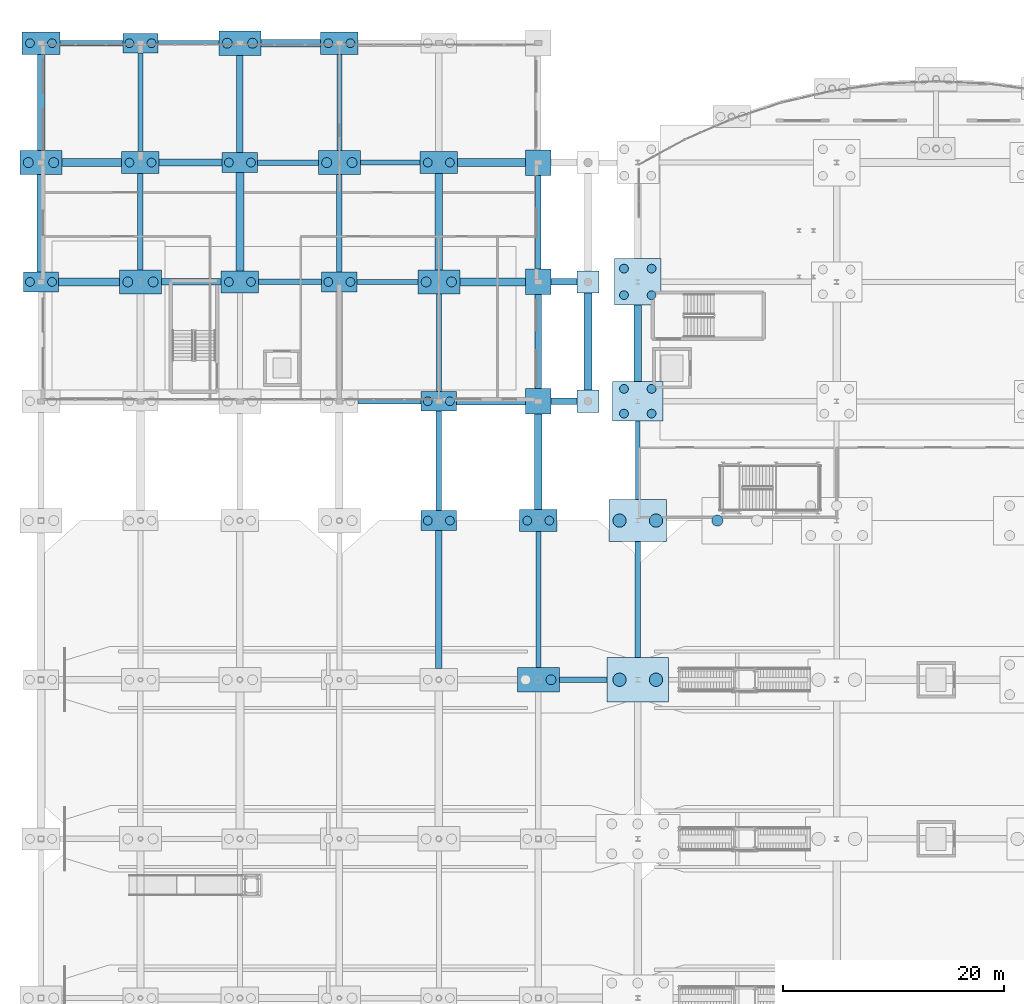
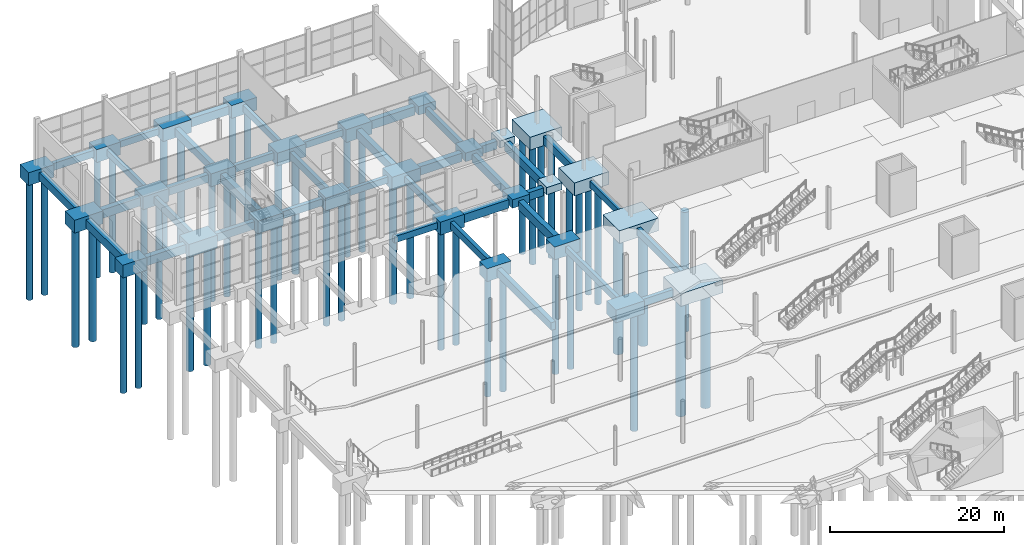
# One storey, part 4 of 115: 65 footings, 48 piles.
"""IFC4 building model written with IfcOpenShell, lengths in metres."""

from ifc_helpers import new_model, si_unit, direction, frame, origin, origin_2d, place, context, subcontext, project, spatial, rectangle, circle, extrude, material, material_profile, profile_set, type_object, element, save


model = new_model("IFC4")

# Units and contexts
model_context = context("Model", 3, precision=1e-05, world=origin(), true_north=direction((0.0, 1.0)))
body_context = subcontext(model_context, "Body", "Model", "MODEL_VIEW")
ifc_project = project(units=[si_unit("LENGTHUNIT", "METRE"), si_unit("AREAUNIT", "SQUARE_METRE"), si_unit("VOLUMEUNIT", "CUBIC_METRE"), si_unit("PLANEANGLEUNIT", "RADIAN"), si_unit("MASSUNIT", "GRAM", prefix="KILO")], contexts=[model_context])

# Site, building, storey
site_placement = place(None, origin())
site = spatial("IfcSite", under=ifc_project, at=site_placement, CompositionType="ELEMENT")
building_placement = place(site_placement, origin())
building = spatial("IfcBuilding", under=site, at=building_placement, Name="Tamarisk Ironworks Central Station", CompositionType="ELEMENT")
storey_placement = place(building_placement, origin())
storey = spatial("IfcBuildingStorey", under=building, at=storey_placement, Name="L00", CompositionType="ELEMENT", Elevation=0.0)

# Footings
ifc_material = material(Name="Concrete C40/50", Category="concrete")
footing_type_1 = type_object("IfcFootingType", Name="CAP-PC01", PredefinedType="PILE_CAP", material=ifc_material)
footing_1_placement = place(storey_placement, frame((54.0, 79.199951171875, -1.7998046875), z_axis=(0.0, 0.0, 1.0), x_axis=(1.0, 0.0, 0.0)))
element("IfcFooting", 1, at=footing_1_placement, inside=storey, type_object=footing_type_1, Name="Pile cap V2-07G", PredefinedType="PILE_CAP", context=body_context, shape_type="SweptSolid", body=[
    extrude(rectangle(XDim=5.199951171875, YDim=3.800048828125, at=origin_2d()), origin(), (0.0, 0.0, 1.0), 1.800048828125),
])
footing_type_2 = type_object("IfcFootingType", Name="CAP-PC02", PredefinedType="PILE_CAP", material=ifc_material)
footing_2_placement = place(storey_placement, frame((54.0, 90.0, -1.7998046875), z_axis=(0.0, 0.0, 1.0), x_axis=(1.0, 0.0, 0.0)))
element("IfcFooting", 2, at=footing_2_placement, inside=storey, type_object=footing_type_2, Name="Pile cap V2-07H", PredefinedType="PILE_CAP", context=body_context, shape_type="SweptSolid", body=[
    extrude(rectangle(XDim=4.60009765625, YDim=3.60009765625, at=origin_2d()), origin(), (0.0, 0.0, 1.0), 1.800048828125),
])
footing_type_3 = type_object("IfcFootingType", Name="CAP-PC03", PredefinedType="PILE_CAP", material=ifc_material)
footing_3_placement = place(storey_placement, frame((54.0, 100.800048828125, -1.7998046875), z_axis=(0.0, 0.0, 1.0), x_axis=(1.0, 0.0, 0.0)))
element("IfcFooting", 3, at=footing_3_placement, inside=storey, type_object=footing_type_3, Name="Pile cap V2-07J", PredefinedType="PILE_CAP", context=body_context, shape_type="SweptSolid", body=[
    extrude(rectangle(XDim=4.199951171875, YDim=4.199951171875, at=origin_2d()), origin(), (0.0, 0.0, 1.0), 1.800048828125),
])
footing_type_4 = type_object("IfcFootingType", Name="CAP-PC07", PredefinedType="PILE_CAP", material=ifc_material)
for number, where, z_axis, x_axis, name in (
    (4, (45.0, 64.800048828125, -1.7998046875), (0.0, 0.0, 1.0), (1.0, 0.0, 0.0), "Pile cap V1-06F"),
    (5, (0.0, 111.60009765625, -1.7998046875), (0.0, 0.0, 1.0), (1.0, 0.0, 0.0), "Pile cap V4-01L"),
    (6, (9.0, 100.800048828125, -1.7998046875), (0.0, 0.0, 1.0), (1.0, 0.0, 0.0), "Pile cap V4-02J"),
    (7, (18.0, 122.39990234375, -1.7998046875), (0.0, 0.0, 1.0), (1.0, 0.0, 0.0), "Pile cap V4-03N"),
    (8, (27.0, 111.60009765625, -1.7998046875), (0.0, 0.0, 1.0), (1.0, 0.0, 0.0), "Pile cap V4-04L"),
    (9, (36.0, 100.800048828125, -1.7998046875), (0.0, 0.0, 1.0), (1.0, 0.0, 0.0), "Pile cap V4-05J"),
):
    element("IfcFooting", number, at=place(storey_placement, frame(where, z_axis=z_axis, x_axis=x_axis)), inside=storey, type_object=footing_type_4, Name=name, PredefinedType="PILE_CAP", context=body_context, shape_type="SweptSolid", body=[
        extrude(rectangle(XDim=3.800048828125, YDim=2.199951171875, at=origin_2d()), origin(), (0.0, 0.0, 1.0), 1.800048828125),
    ])
footing_type_5 = type_object("IfcFootingType", Name="CAP-PC08", PredefinedType="PILE_CAP", material=ifc_material)
for number, where, z_axis, x_axis, name in (
    (10, (45.0, 79.199951171875, -1.7998046875), (0.0, 0.0, 1.0), (1.0, 0.0, 0.0), "Pile cap V1-06G"),
    (11, (0.0, 122.39990234375, -1.7998046875), (0.0, 0.0, 1.0), (1.0, 0.0, 0.0), "Pile cap V4-01N"),
    (12, (9.0, 111.60009765625, -1.7998046875), (0.0, 0.0, 1.0), (1.0, 0.0, 0.0), "Pile cap V4-02L"),
    (13, (18.0, 100.800048828125, -1.7998046875), (0.0, 0.0, 1.0), (1.0, 0.0, 0.0), "Pile cap V4-03J"),
    (14, (27.0, 122.39990234375, -1.7998046875), (0.0, 0.0, 1.0), (1.0, 0.0, 0.0), "Pile cap V4-04N"),
    (15, (36.0, 111.60009765625, -1.7998046875), (0.0, 0.0, 1.0), (1.0, 0.0, 0.0), "Pile cap V4-05L"),
):
    element("IfcFooting", number, at=place(storey_placement, frame(where, z_axis=z_axis, x_axis=x_axis)), inside=storey, type_object=footing_type_5, Name=name, PredefinedType="PILE_CAP", context=body_context, shape_type="SweptSolid", body=[
        extrude(rectangle(XDim=3.39990234375, YDim=2.0, at=origin_2d()), origin(), (0.0, 0.0, 1.0), 1.800048828125),
    ])
footing_type_6 = type_object("IfcFootingType", Name="CAP-PC09", PredefinedType="PILE_CAP", material=ifc_material)
for number, where, z_axis, x_axis, name in (
    (16, (36.0, 79.199951171875, -1.7998046875), (0.0, 0.0, 1.0), (1.0, 0.0, 0.0), "Pile cap V1-05G"),
    (17, (0.0, 100.800048828125, -1.7998046875), (0.0, 0.0, 1.0), (1.0, 0.0, 0.0), "Pile cap V4-01J"),
    (18, (9.0, 122.39990234375, -1.7998046875), (0.0, 0.0, 1.0), (1.0, 0.0, 0.0), "Pile cap V4-02N"),
    (19, (18.0, 111.60009765625, -1.7998046875), (0.0, 0.0, 1.0), (1.0, 0.0, 0.0), "Pile cap V4-03L"),
    (20, (27.0, 100.800048828125, -1.7998046875), (0.0, 0.0, 1.0), (1.0, 0.0, 0.0), "Pile cap V4-04J"),
    (21, (36.0, 90.0, -1.7998046875), (0.0, 0.0, 1.0), (1.0, 0.0, 0.0), "Pile cap V4-05H"),
):
    element("IfcFooting", number, at=place(storey_placement, frame(where, z_axis=z_axis, x_axis=x_axis)), inside=storey, type_object=footing_type_6, Name=name, PredefinedType="PILE_CAP", context=body_context, shape_type="SweptSolid", body=[
        extrude(rectangle(XDim=3.199951171875, YDim=1.800048828125, at=origin_2d()), origin(), (0.0, 0.0, 1.0), 1.800048828125),
    ])
footing_type_7 = type_object("IfcFootingType", Name="CAP-PC12", PredefinedType="PILE_CAP", material=ifc_material)
footing_4_placement = place(storey_placement, frame((54.0, 64.800048828125, -1.7998046875), z_axis=(0.0, 0.0, 1.0), x_axis=(1.0, 0.0, 0.0)))
element("IfcFooting", 22, at=footing_4_placement, inside=storey, type_object=footing_type_7, Name="Pile cap V2-07F", PredefinedType="PILE_CAP", context=body_context, shape_type="SweptSolid", body=[
    extrude(rectangle(XDim=5.60009765625, YDim=4.0, at=origin_2d()), origin(), (0.0, 0.0, 1.0), 1.800048828125),
])
ifc_material_profile_1 = material_profile(ifc_material, rectangle(XDim=0.699951171875, YDim=1.199951171875, at=origin_2d()), Name="GB01 700x1200")
ifc_profile_set_1 = profile_set([ifc_material_profile_1], Name="Concrete C40/50")
footing_type_8 = type_object("IfcFootingType", Name="GB-01", PredefinedType="FOOTING_BEAM", material=ifc_profile_set_1)
footing_5_placement = place(storey_placement, frame((37.60009765625, 90.0, -1.050048828125), z_axis=(1.0, 0.0, 0.0), x_axis=(0.0, 1.0, 0.0)))
element("IfcFooting", 23, at=footing_5_placement, inside=storey, type_object=footing_type_8, Name="Ground tie beam GB-X-077", PredefinedType="FOOTING_BEAM", context=body_context, shape_type="SweptSolid", body=[
    extrude(rectangle(XDim=0.699951171875, YDim=1.199951171875, at=origin_2d()), origin(), (0.0, 0.0, 1.0), 6.25),
])
footing_6_placement = place(storey_placement, frame((1.60009765625, 100.800048828125, -1.050048828125), z_axis=(1.0, 0.0, 0.0), x_axis=(0.0, 1.0, 0.0)))
element("IfcFooting", 24, at=footing_6_placement, inside=storey, type_object=footing_type_8, Name="Ground tie beam GB-X-089", PredefinedType="FOOTING_BEAM", context=body_context, shape_type="SweptSolid", body=[
    extrude(rectangle(XDim=0.699951171875, YDim=1.199951171875, at=origin_2d()), origin(), (0.0, 0.0, 1.0), 5.5),
])
footing_7_placement = place(storey_placement, frame((37.89990234375, 100.800048828125, -1.050048828125), z_axis=(1.0, 0.0, 0.0), x_axis=(0.0, 1.0, 0.0)))
element("IfcFooting", 25, at=footing_7_placement, inside=storey, type_object=footing_type_8, Name="Ground tie beam GB-X-093", PredefinedType="FOOTING_BEAM", context=body_context, shape_type="SweptSolid", body=[
    extrude(rectangle(XDim=0.699951171875, YDim=1.199951171875, at=origin_2d()), origin(), (0.0, 0.0, 1.0), 5.9501953125),
])
footing_8_placement = place(storey_placement, frame((1.89990234375, 111.60009765625, -1.050048828125), z_axis=(1.0, 0.0, 0.0), x_axis=(0.0, 1.0, 0.0)))
element("IfcFooting", 26, at=footing_8_placement, inside=storey, type_object=footing_type_8, Name="Ground tie beam GB-X-105", PredefinedType="FOOTING_BEAM", context=body_context, shape_type="SweptSolid", body=[
    extrude(rectangle(XDim=0.699951171875, YDim=1.199951171875, at=origin_2d()), origin(), (0.0, 0.0, 1.0), 5.400146484375),
])
footing_9_placement = place(storey_placement, frame((37.699951171875, 111.60009765625, -1.050048828125), z_axis=(1.0, 0.0, 0.0), x_axis=(0.0, 1.0, 0.0)))
element("IfcFooting", 27, at=footing_9_placement, inside=storey, type_object=footing_type_8, Name="Ground tie beam GB-X-109", PredefinedType="FOOTING_BEAM", context=body_context, shape_type="SweptSolid", body=[
    extrude(rectangle(XDim=0.699951171875, YDim=1.199951171875, at=origin_2d()), origin(), (0.0, 0.0, 1.0), 6.150146484375),
])
footing_10_placement = place(storey_placement, frame((19.89990234375, 122.39990234375, -1.050048828125), z_axis=(1.0, 0.0, 0.0), x_axis=(0.0, 1.0, 0.0)))
element("IfcFooting", 28, at=footing_10_placement, inside=storey, type_object=footing_type_8, Name="Ground tie beam GB-X-125", PredefinedType="FOOTING_BEAM", context=body_context, shape_type="SweptSolid", body=[
    extrude(rectangle(XDim=0.699951171875, YDim=1.199951171875, at=origin_2d()), origin(), (0.0, 0.0, 1.0), 5.400146484375),
])
footing_11_placement = place(storey_placement, frame((0.0, 101.699951171875, -1.050048828125), z_axis=(0.0, 1.0, 0.0), x_axis=(-1.0, 0.0, 0.0)))
element("IfcFooting", 29, at=footing_11_placement, inside=storey, type_object=footing_type_8, Name="Ground tie beam GB-Y-141", PredefinedType="FOOTING_BEAM", context=body_context, shape_type="SweptSolid", body=[
    extrude(rectangle(XDim=0.699951171875, YDim=1.199951171875, at=origin_2d()), origin(), (0.0, 0.0, 1.0), 8.800048828125),
])
footing_12_placement = place(storey_placement, frame((18.0, 101.800048828125, -1.050048828125), z_axis=(0.0, 1.0, 0.0), x_axis=(-1.0, 0.0, 0.0)))
element("IfcFooting", 30, at=footing_12_placement, inside=storey, type_object=footing_type_8, Name="Ground tie beam GB-Y-161", PredefinedType="FOOTING_BEAM", context=body_context, shape_type="SweptSolid", body=[
    extrude(rectangle(XDim=0.699951171875, YDim=1.199951171875, at=origin_2d()), origin(), (0.0, 0.0, 1.0), 8.89990234375),
])
footing_13_placement = place(storey_placement, frame((36.0, 101.89990234375, -1.050048828125), z_axis=(0.0, 1.0, 0.0), x_axis=(-1.0, 0.0, 0.0)))
element("IfcFooting", 31, at=footing_13_placement, inside=storey, type_object=footing_type_8, Name="Ground tie beam GB-Y-181", PredefinedType="FOOTING_BEAM", context=body_context, shape_type="SweptSolid", body=[
    extrude(rectangle(XDim=0.699951171875, YDim=1.199951171875, at=origin_2d()), origin(), (0.0, 0.0, 1.0), 8.7001953125),
])
footing_14_placement = place(storey_placement, frame((45.0, 80.199951171875, -1.050048828125), z_axis=(0.0, 1.0, 0.0), x_axis=(-1.0, 0.0, 0.0)))
element("IfcFooting", 32, at=footing_14_placement, inside=storey, type_object=footing_type_8, Name="Ground tie beam GB-Y-189", PredefinedType="FOOTING_BEAM", context=body_context, shape_type="SweptSolid", body=[
    extrude(rectangle(XDim=0.699951171875, YDim=1.199951171875, at=origin_2d()), origin(), (0.0, 0.0, 1.0), 8.650146484375),
])
footing_15_placement = place(storey_placement, frame((49.5, 91.0, -1.050048828125), z_axis=(0.0, 1.0, 0.0), x_axis=(-1.0, 0.0, 0.0)))
element("IfcFooting", 33, at=footing_15_placement, inside=storey, type_object=footing_type_8, Name="Ground tie beam GB-Y-193", PredefinedType="FOOTING_BEAM", context=body_context, shape_type="SweptSolid", body=[
    extrude(rectangle(XDim=0.699951171875, YDim=1.199951171875, at=origin_2d()), origin(), (0.0, 0.0, 1.0), 8.800048828125),
])
footing_16_placement = place(storey_placement, frame((54.0, 91.800048828125, -1.050048828125), z_axis=(0.0, 1.0, 0.0), x_axis=(-1.0, 0.0, 0.0)))
element("IfcFooting", 34, at=footing_16_placement, inside=storey, type_object=footing_type_8, Name="Ground tie beam GB-Y-201", PredefinedType="FOOTING_BEAM", context=body_context, shape_type="SweptSolid", body=[
    extrude(rectangle(XDim=0.699951171875, YDim=1.199951171875, at=origin_2d()), origin(), (0.0, 0.0, 1.0), 6.89990234375),
])
ifc_material_profile_2 = material_profile(ifc_material, rectangle(XDim=0.60009765625, YDim=1.10009765625, at=origin_2d()), Name="GB02 600x1100")
ifc_profile_set_2 = profile_set([ifc_material_profile_2], Name="Concrete C40/50")
footing_type_9 = type_object("IfcFootingType", Name="GB-02", PredefinedType="FOOTING_BEAM", material=ifc_profile_set_2)
footing_17_placement = place(storey_placement, frame((46.14990234375, 90.0, -1.0), z_axis=(1.0, 0.0, 0.0), x_axis=(0.0, 1.0, 0.0)))
element("IfcFooting", 35, at=footing_17_placement, inside=storey, type_object=footing_type_9, Name="Ground tie beam GB-X-078", PredefinedType="FOOTING_BEAM", context=body_context, shape_type="SweptSolid", body=[
    extrude(rectangle(XDim=0.60009765625, YDim=1.10009765625, at=origin_2d()), origin(), (0.0, 0.0, 1.0), 2.35009765625),
])
footing_18_placement = place(storey_placement, frame((10.89990234375, 100.800048828125, -1.0), z_axis=(1.0, 0.0, 0.0), x_axis=(0.0, 1.0, 0.0)))
element("IfcFooting", 36, at=footing_18_placement, inside=storey, type_object=footing_type_9, Name="Ground tie beam GB-X-090", PredefinedType="FOOTING_BEAM", context=body_context, shape_type="SweptSolid", body=[
    extrude(rectangle(XDim=0.60009765625, YDim=1.10009765625, at=origin_2d()), origin(), (0.0, 0.0, 1.0), 5.400146484375),
])
footing_19_placement = place(storey_placement, frame((46.14990234375, 100.800048828125, -1.0), z_axis=(1.0, 0.0, 0.0), x_axis=(0.0, 1.0, 0.0)))
element("IfcFooting", 37, at=footing_19_placement, inside=storey, type_object=footing_type_9, Name="Ground tie beam GB-X-094", PredefinedType="FOOTING_BEAM", context=body_context, shape_type="SweptSolid", body=[
    extrude(rectangle(XDim=0.60009765625, YDim=1.10009765625, at=origin_2d()), origin(), (0.0, 0.0, 1.0), 2.35009765625),
])
footing_20_placement = place(storey_placement, frame((10.699951171875, 111.60009765625, -1.0), z_axis=(1.0, 0.0, 0.0), x_axis=(0.0, 1.0, 0.0)))
element("IfcFooting", 38, at=footing_20_placement, inside=storey, type_object=footing_type_9, Name="Ground tie beam GB-X-106", PredefinedType="FOOTING_BEAM", context=body_context, shape_type="SweptSolid", body=[
    extrude(rectangle(XDim=0.60009765625, YDim=1.10009765625, at=origin_2d()), origin(), (0.0, 0.0, 1.0), 5.699951171875),
])
footing_21_placement = place(storey_placement, frame((0.0, 112.699951171875, -1.0), z_axis=(0.0, 1.0, 0.0), x_axis=(-1.0, 0.0, 0.0)))
element("IfcFooting", 39, at=footing_21_placement, inside=storey, type_object=footing_type_9, Name="Ground tie beam GB-Y-142", PredefinedType="FOOTING_BEAM", context=body_context, shape_type="SweptSolid", body=[
    extrude(rectangle(XDim=0.60009765625, YDim=1.10009765625, at=origin_2d()), origin(), (0.0, 0.0, 1.0), 8.699951171875),
])
footing_22_placement = place(storey_placement, frame((18.0, 112.5, -1.0), z_axis=(0.0, 1.0, 0.0), x_axis=(-1.0, 0.0, 0.0)))
element("IfcFooting", 40, at=footing_22_placement, inside=storey, type_object=footing_type_9, Name="Ground tie beam GB-Y-162", PredefinedType="FOOTING_BEAM", context=body_context, shape_type="SweptSolid", body=[
    extrude(rectangle(XDim=0.60009765625, YDim=1.10009765625, at=origin_2d()), origin(), (0.0, 0.0, 1.0), 8.800048828125),
])
footing_23_placement = place(storey_placement, frame((36.0, 65.800048828125, -1.0), z_axis=(0.0, 1.0, 0.0), x_axis=(-1.0, 0.0, 0.0)))
element("IfcFooting", 41, at=footing_23_placement, inside=storey, type_object=footing_type_9, Name="Ground tie beam GB-Y-178", PredefinedType="FOOTING_BEAM", context=body_context, shape_type="SweptSolid", body=[
    extrude(rectangle(XDim=0.60009765625, YDim=1.10009765625, at=origin_2d()), origin(), (0.0, 0.0, 1.0), 12.5),
])
footing_24_placement = place(storey_placement, frame((45.0, 91.14990234375, -1.0), z_axis=(0.0, 1.0, 0.0), x_axis=(-1.0, 0.0, 0.0)))
element("IfcFooting", 42, at=footing_24_placement, inside=storey, type_object=footing_type_9, Name="Ground tie beam GB-Y-190", PredefinedType="FOOTING_BEAM", context=body_context, shape_type="SweptSolid", body=[
    extrude(rectangle(XDim=0.60009765625, YDim=1.10009765625, at=origin_2d()), origin(), (0.0, 0.0, 1.0), 8.5),
])
ifc_material_profile_3 = material_profile(ifc_material, rectangle(XDim=0.5, YDim=1.0, at=origin_2d()), Name="GB03 500x1000")
ifc_profile_set_3 = profile_set([ifc_material_profile_3], Name="Concrete C40/50")
footing_type_10 = type_object("IfcFootingType", Name="GB-03", PredefinedType="FOOTING_BEAM", material=ifc_profile_set_3)
footing_25_placement = place(storey_placement, frame((46.89990234375, 64.800048828125, -0.949951171875), z_axis=(1.0, 0.0, 0.0), x_axis=(0.0, 1.0, 0.0)))
element("IfcFooting", 43, at=footing_25_placement, inside=storey, type_object=footing_type_10, Name="Ground tie beam GB-X-063", PredefinedType="FOOTING_BEAM", context=body_context, shape_type="SweptSolid", body=[
    extrude(rectangle(XDim=0.5, YDim=1.0, at=origin_2d()), origin(), (0.0, 0.0, 1.0), 4.300048828125),
])
footing_26_placement = place(storey_placement, frame((19.699951171875, 100.800048828125, -0.949951171875), z_axis=(1.0, 0.0, 0.0), x_axis=(0.0, 1.0, 0.0)))
element("IfcFooting", 44, at=footing_26_placement, inside=storey, type_object=footing_type_10, Name="Ground tie beam GB-X-091", PredefinedType="FOOTING_BEAM", context=body_context, shape_type="SweptSolid", body=[
    extrude(rectangle(XDim=0.5, YDim=1.0, at=origin_2d()), origin(), (0.0, 0.0, 1.0), 5.699951171875),
])
footing_27_placement = place(storey_placement, frame((19.60009765625, 111.60009765625, -0.949951171875), z_axis=(1.0, 0.0, 0.0), x_axis=(0.0, 1.0, 0.0)))
element("IfcFooting", 45, at=footing_27_placement, inside=storey, type_object=footing_type_10, Name="Ground tie beam GB-X-107", PredefinedType="FOOTING_BEAM", context=body_context, shape_type="SweptSolid", body=[
    extrude(rectangle(XDim=0.5, YDim=1.0, at=origin_2d()), origin(), (0.0, 0.0, 1.0), 5.5),
])
footing_28_placement = place(storey_placement, frame((1.699951171875, 122.39990234375, -0.949951171875), z_axis=(1.0, 0.0, 0.0), x_axis=(0.0, 1.0, 0.0)))
element("IfcFooting", 46, at=footing_28_placement, inside=storey, type_object=footing_type_10, Name="Ground tie beam GB-X-123", PredefinedType="FOOTING_BEAM", context=body_context, shape_type="SweptSolid", body=[
    extrude(rectangle(XDim=0.5, YDim=1.0, at=origin_2d()), origin(), (0.0, 0.0, 1.0), 5.699951171875),
])
footing_29_placement = place(storey_placement, frame((9.0, 101.89990234375, -0.949951171875), z_axis=(0.0, 1.0, 0.0), x_axis=(-1.0, 0.0, 0.0)))
element("IfcFooting", 47, at=footing_29_placement, inside=storey, type_object=footing_type_10, Name="Ground tie beam GB-Y-151", PredefinedType="FOOTING_BEAM", context=body_context, shape_type="SweptSolid", body=[
    extrude(rectangle(XDim=0.5, YDim=1.0, at=origin_2d()), origin(), (0.0, 0.0, 1.0), 8.7001953125),
])
footing_30_placement = place(storey_placement, frame((27.0, 101.699951171875, -0.949951171875), z_axis=(0.0, 1.0, 0.0), x_axis=(-1.0, 0.0, 0.0)))
element("IfcFooting", 48, at=footing_30_placement, inside=storey, type_object=footing_type_10, Name="Ground tie beam GB-Y-171", PredefinedType="FOOTING_BEAM", context=body_context, shape_type="SweptSolid", body=[
    extrude(rectangle(XDim=0.5, YDim=1.0, at=origin_2d()), origin(), (0.0, 0.0, 1.0), 8.800048828125),
])
footing_31_placement = place(storey_placement, frame((36.0, 80.10009765625, -0.949951171875), z_axis=(0.0, 1.0, 0.0), x_axis=(-1.0, 0.0, 0.0)))
element("IfcFooting", 49, at=footing_31_placement, inside=storey, type_object=footing_type_10, Name="Ground tie beam GB-Y-179", PredefinedType="FOOTING_BEAM", context=body_context, shape_type="SweptSolid", body=[
    extrude(rectangle(XDim=0.5, YDim=1.0, at=origin_2d()), origin(), (0.0, 0.0, 1.0), 9.0),
])
footing_32_placement = place(storey_placement, frame((45.0, 101.949951171875, -0.949951171875), z_axis=(0.0, 1.0, 0.0), x_axis=(-1.0, 0.0, 0.0)))
element("IfcFooting", 50, at=footing_32_placement, inside=storey, type_object=footing_type_10, Name="Ground tie beam GB-Y-191", PredefinedType="FOOTING_BEAM", context=body_context, shape_type="SweptSolid", body=[
    extrude(rectangle(XDim=0.5, YDim=1.0, at=origin_2d()), origin(), (0.0, 0.0, 1.0), 8.5),
])
footing_33_placement = place(storey_placement, frame((54.0, 66.800048828125, -0.949951171875), z_axis=(0.0, 1.0, 0.0), x_axis=(-1.0, 0.0, 0.0)))
element("IfcFooting", 51, at=footing_33_placement, inside=storey, type_object=footing_type_10, Name="Ground tie beam GB-Y-199", PredefinedType="FOOTING_BEAM", context=body_context, shape_type="SweptSolid", body=[
    extrude(rectangle(XDim=0.5, YDim=1.0, at=origin_2d()), origin(), (0.0, 0.0, 1.0), 10.5),
])
ifc_material_profile_4 = material_profile(ifc_material, rectangle(XDim=0.449951171875, YDim=0.89990234375, at=origin_2d()), Name="GB04 450x900")
ifc_profile_set_4 = profile_set([ifc_material_profile_4], Name="Concrete C40/50")
footing_type_11 = type_object("IfcFootingType", Name="GB-04", PredefinedType="FOOTING_BEAM", material=ifc_profile_set_4)
footing_34_placement = place(storey_placement, frame((28.699951171875, 90.0, -0.89990234375), z_axis=(1.0, 0.0, 0.0), x_axis=(0.0, 1.0, 0.0)))
element("IfcFooting", 52, at=footing_34_placement, inside=storey, type_object=footing_type_11, Name="Ground tie beam GB-X-076", PredefinedType="FOOTING_BEAM", context=body_context, shape_type="SweptSolid", body=[
    extrude(rectangle(XDim=0.449951171875, YDim=0.89990234375, at=origin_2d()), origin(), (0.0, 0.0, 1.0), 5.699951171875),
])
footing_35_placement = place(storey_placement, frame((28.60009765625, 100.800048828125, -0.89990234375), z_axis=(1.0, 0.0, 0.0), x_axis=(0.0, 1.0, 0.0)))
element("IfcFooting", 53, at=footing_35_placement, inside=storey, type_object=footing_type_11, Name="Ground tie beam GB-X-092", PredefinedType="FOOTING_BEAM", context=body_context, shape_type="SweptSolid", body=[
    extrude(rectangle(XDim=0.449951171875, YDim=0.89990234375, at=origin_2d()), origin(), (0.0, 0.0, 1.0), 5.5),
])
footing_36_placement = place(storey_placement, frame((28.89990234375, 111.60009765625, -0.89990234375), z_axis=(1.0, 0.0, 0.0), x_axis=(0.0, 1.0, 0.0)))
element("IfcFooting", 54, at=footing_36_placement, inside=storey, type_object=footing_type_11, Name="Ground tie beam GB-X-108", PredefinedType="FOOTING_BEAM", context=body_context, shape_type="SweptSolid", body=[
    extrude(rectangle(XDim=0.449951171875, YDim=0.89990234375, at=origin_2d()), origin(), (0.0, 0.0, 1.0), 5.400146484375),
])
footing_37_placement = place(storey_placement, frame((10.60009765625, 122.39990234375, -0.89990234375), z_axis=(1.0, 0.0, 0.0), x_axis=(0.0, 1.0, 0.0)))
element("IfcFooting", 55, at=footing_37_placement, inside=storey, type_object=footing_type_11, Name="Ground tie beam GB-X-124", PredefinedType="FOOTING_BEAM", context=body_context, shape_type="SweptSolid", body=[
    extrude(rectangle(XDim=0.449951171875, YDim=0.89990234375, at=origin_2d()), origin(), (0.0, 0.0, 1.0), 5.5),
])
footing_38_placement = place(storey_placement, frame((9.0, 112.60009765625, -0.89990234375), z_axis=(0.0, 1.0, 0.0), x_axis=(-1.0, 0.0, 0.0)))
element("IfcFooting", 56, at=footing_38_placement, inside=storey, type_object=footing_type_11, Name="Ground tie beam GB-Y-152", PredefinedType="FOOTING_BEAM", context=body_context, shape_type="SweptSolid", body=[
    extrude(rectangle(XDim=0.449951171875, YDim=0.89990234375, at=origin_2d()), origin(), (0.0, 0.0, 1.0), 8.89990234375),
])
footing_39_placement = place(storey_placement, frame((27.0, 112.699951171875, -0.89990234375), z_axis=(0.0, 1.0, 0.0), x_axis=(-1.0, 0.0, 0.0)))
element("IfcFooting", 57, at=footing_39_placement, inside=storey, type_object=footing_type_11, Name="Ground tie beam GB-Y-172", PredefinedType="FOOTING_BEAM", context=body_context, shape_type="SweptSolid", body=[
    extrude(rectangle(XDim=0.449951171875, YDim=0.89990234375, at=origin_2d()), origin(), (0.0, 0.0, 1.0), 8.699951171875),
])
footing_40_placement = place(storey_placement, frame((36.0, 90.89990234375, -0.89990234375), z_axis=(0.0, 1.0, 0.0), x_axis=(-1.0, 0.0, 0.0)))
element("IfcFooting", 58, at=footing_40_placement, inside=storey, type_object=footing_type_11, Name="Ground tie beam GB-Y-180", PredefinedType="FOOTING_BEAM", context=body_context, shape_type="SweptSolid", body=[
    extrude(rectangle(XDim=0.449951171875, YDim=0.89990234375, at=origin_2d()), origin(), (0.0, 0.0, 1.0), 8.800048828125),
])
footing_41_placement = place(storey_placement, frame((45.0, 65.89990234375, -0.89990234375), z_axis=(0.0, 1.0, 0.0), x_axis=(-1.0, 0.0, 0.0)))
element("IfcFooting", 59, at=footing_41_placement, inside=storey, type_object=footing_type_11, Name="Ground tie beam GB-Y-188", PredefinedType="FOOTING_BEAM", context=body_context, shape_type="SweptSolid", body=[
    extrude(rectangle(XDim=0.449951171875, YDim=0.89990234375, at=origin_2d()), origin(), (0.0, 0.0, 1.0), 12.300048828125),
])
footing_42_placement = place(storey_placement, frame((54.0, 81.10009765625, -0.89990234375), z_axis=(0.0, 1.0, 0.0), x_axis=(-1.0, 0.0, 0.0)))
element("IfcFooting", 60, at=footing_42_placement, inside=storey, type_object=footing_type_11, Name="Ground tie beam GB-Y-200", PredefinedType="FOOTING_BEAM", context=body_context, shape_type="SweptSolid", body=[
    extrude(rectangle(XDim=0.449951171875, YDim=0.89990234375, at=origin_2d()), origin(), (0.0, 0.0, 1.0), 7.099853515625),
])
footing_type_12 = type_object("IfcFootingType", Name="PAD-PF02", PredefinedType="PAD_FOOTING", material=ifc_material)
for number, where, z_axis, x_axis, name in (
    (61, (45.0, 90.0, -1.2001953125), (0.0, 0.0, 1.0), (1.0, 0.0, 0.0), "Pad footing V4-06H"),
    (62, (45.0, 100.800048828125, -1.2001953125), (0.0, 0.0, 1.0), (1.0, 0.0, 0.0), "Pad footing V4-06J"),
    (63, (45.0, 111.60009765625, -1.2001953125), (0.0, 0.0, 1.0), (1.0, 0.0, 0.0), "Pad footing V4-06L"),
):
    element("IfcFooting", number, at=place(storey_placement, frame(where, z_axis=z_axis, x_axis=x_axis)), inside=storey, type_object=footing_type_12, Name=name, PredefinedType="PAD_FOOTING", context=body_context, shape_type="SweptSolid", body=[
        extrude(rectangle(XDim=2.300048828125, YDim=2.300048828125, at=origin_2d()), origin(), (0.0, 0.0, 1.0), 1.199951171875),
    ])
footing_type_13 = type_object("IfcFootingType", Name="PAD-PF03", PredefinedType="PAD_FOOTING", material=ifc_material)
for number, where, z_axis, x_axis, name in (
    (64, (49.5, 90.0, -1.0), (0.0, 0.0, 1.0), (1.0, 0.0, 0.0), "Pad footing CN-W1"),
    (65, (49.5, 100.800048828125, -1.0), (0.0, 0.0, 1.0), (1.0, 0.0, 0.0), "Pad footing CN-W2"),
):
    element("IfcFooting", number, at=place(storey_placement, frame(where, z_axis=z_axis, x_axis=x_axis)), inside=storey, type_object=footing_type_13, Name=name, PredefinedType="PAD_FOOTING", context=body_context, shape_type="SweptSolid", body=[
        extrude(rectangle(XDim=2.0, YDim=2.0, at=origin_2d()), origin(), (0.0, 0.0, 1.0), 1.0),
    ])

# Piles
ifc_material_profile_5 = material_profile(ifc_material, circle(Radius=0.5, at=origin_2d()), Name="BORED PILE D1000")
ifc_profile_set_5 = profile_set([ifc_material_profile_5], Name="Concrete C40/50")
pile_type_1 = type_object("IfcPileType", Name="PILE-D1000", PredefinedType="BORED", material=ifc_profile_set_5)
pile_placement = place(storey_placement, frame((61.199951171875, 79.199951171875, -1.64990234375), z_axis=(0.0, 0.0, -1.0), x_axis=(1.0, 0.0, 0.0)))
element("IfcPile", 66, at=pile_placement, inside=storey, type_object=pile_type_1, Name="Bored pile AB3-1", PredefinedType="BORED", context=body_context, shape_type="SweptSolid", body=[
    extrude(circle(Radius=0.5, at=origin_2d()), origin(), (0.0, 0.0, 1.0), 16.85009765625),
])
ifc_material_profile_6 = material_profile(ifc_material, circle(Radius=0.60009765625, at=origin_2d()), Name="BORED PILE D1200")
ifc_profile_set_6 = profile_set([ifc_material_profile_6], Name="Concrete C40/50")
pile_type_2 = type_object("IfcPileType", Name="PILE-D1200", PredefinedType="BORED", material=ifc_profile_set_6)
for number, where, z_axis, x_axis, name in (
    (67, (52.35009765625, 64.800048828125, -1.64990234375), (0.0, 0.0, -1.0), (1.0, 0.0, 0.0), "Bored pile V2-07F-1"),
    (68, (55.64990234375, 64.800048828125, -1.64990234375), (0.0, 0.0, -1.0), (1.0, 0.0, 0.0), "Bored pile V2-07F-2"),
    (69, (52.35009765625, 79.199951171875, -1.64990234375), (0.0, 0.0, -1.0), (1.0, 0.0, 0.0), "Bored pile V2-07G-1"),
    (70, (55.64990234375, 79.199951171875, -1.64990234375), (0.0, 0.0, -1.0), (1.0, 0.0, 0.0), "Bored pile V2-07G-2"),
):
    element("IfcPile", number, at=place(storey_placement, frame(where, z_axis=z_axis, x_axis=x_axis)), inside=storey, type_object=pile_type_2, Name=name, PredefinedType="BORED", context=body_context, shape_type="SweptSolid", body=[
        extrude(circle(Radius=0.60009765625, at=origin_2d()), origin(), (0.0, 0.0, 1.0), 16.85009765625),
    ])
ifc_material_profile_7 = material_profile(ifc_material, circle(Radius=0.39990234375, at=origin_2d()), Name="BORED PILE D800")
ifc_profile_set_7 = profile_set([ifc_material_profile_7], Name="Concrete C40/50")
pile_type_3 = type_object("IfcPileType", Name="PILE-D800", PredefinedType="BORED", material=ifc_profile_set_7)
for number, where, z_axis, x_axis, name in (
    (71, (52.75, 88.8798828125, -1.64990234375), (0.0, 0.0, -1.0), (1.0, 0.0, 0.0), "Bored pile V2-07H-1"),
    (72, (55.25, 88.8798828125, -1.64990234375), (0.0, 0.0, -1.0), (1.0, 0.0, 0.0), "Bored pile V2-07H-2"),
    (73, (52.75, 91.1201171875, -1.64990234375), (0.0, 0.0, -1.0), (1.0, 0.0, 0.0), "Bored pile V2-07H-3"),
    (74, (55.25, 91.1201171875, -1.64990234375), (0.0, 0.0, -1.0), (1.0, 0.0, 0.0), "Bored pile V2-07H-4"),
    (75, (52.75, 99.60009765625, -1.64990234375), (0.0, 0.0, -1.0), (1.0, 0.0, 0.0), "Bored pile V2-07J-1"),
    (76, (55.25, 99.60009765625, -1.64990234375), (0.0, 0.0, -1.0), (1.0, 0.0, 0.0), "Bored pile V2-07J-2"),
    (77, (52.75, 102.0, -1.64990234375), (0.0, 0.0, -1.0), (1.0, 0.0, 0.0), "Bored pile V2-07J-3"),
    (78, (55.25, 102.0, -1.64990234375), (0.0, 0.0, -1.0), (1.0, 0.0, 0.0), "Bored pile V2-07J-4"),
    (79, (35.0, 79.199951171875, -1.64990234375), (0.0, 0.0, -1.0), (1.0, 0.0, 0.0), "Bored pile V1-05G-1"),
    (80, (37.0, 79.199951171875, -1.64990234375), (0.0, 0.0, -1.0), (1.0, 0.0, 0.0), "Bored pile V1-05G-2"),
    (81, (44.0, 79.199951171875, -1.64990234375), (0.0, 0.0, -1.0), (1.0, 0.0, 0.0), "Bored pile V1-06G-1"),
    (82, (46.0, 79.199951171875, -1.64990234375), (0.0, 0.0, -1.0), (1.0, 0.0, 0.0), "Bored pile V1-06G-2"),
    (83, (-1.0, 100.800048828125, -1.64990234375), (0.0, 0.0, -1.0), (1.0, 0.0, 0.0), "Bored pile V4-01J-1"),
    (84, (1.0, 100.800048828125, -1.64990234375), (0.0, 0.0, -1.0), (1.0, 0.0, 0.0), "Bored pile V4-01J-2"),
    (85, (-1.0, 122.39990234375, -1.64990234375), (0.0, 0.0, -1.0), (1.0, 0.0, 0.0), "Bored pile V4-01N-1"),
    (86, (1.0, 122.39990234375, -1.64990234375), (0.0, 0.0, -1.0), (1.0, 0.0, 0.0), "Bored pile V4-01N-2"),
    (87, (8.0, 111.60009765625, -1.64990234375), (0.0, 0.0, -1.0), (1.0, 0.0, 0.0), "Bored pile V4-02L-1"),
    (88, (10.0, 111.60009765625, -1.64990234375), (0.0, 0.0, -1.0), (1.0, 0.0, 0.0), "Bored pile V4-02L-2"),
    (89, (8.0, 122.39990234375, -1.64990234375), (0.0, 0.0, -1.0), (1.0, 0.0, 0.0), "Bored pile V4-02N-1"),
    (90, (10.0, 122.39990234375, -1.64990234375), (0.0, 0.0, -1.0), (1.0, 0.0, 0.0), "Bored pile V4-02N-2"),
    (91, (17.0, 100.800048828125, -1.64990234375), (0.0, 0.0, -1.0), (1.0, 0.0, 0.0), "Bored pile V4-03J-1"),
    (92, (19.0, 100.800048828125, -1.64990234375), (0.0, 0.0, -1.0), (1.0, 0.0, 0.0), "Bored pile V4-03J-2"),
    (93, (17.0, 111.60009765625, -1.64990234375), (0.0, 0.0, -1.0), (1.0, 0.0, 0.0), "Bored pile V4-03L-1"),
    (94, (19.0, 111.60009765625, -1.64990234375), (0.0, 0.0, -1.0), (1.0, 0.0, 0.0), "Bored pile V4-03L-2"),
    (95, (26.0, 100.800048828125, -1.64990234375), (0.0, 0.0, -1.0), (1.0, 0.0, 0.0), "Bored pile V4-04J-1"),
    (96, (28.0, 100.800048828125, -1.64990234375), (0.0, 0.0, -1.0), (1.0, 0.0, 0.0), "Bored pile V4-04J-2"),
    (97, (26.0, 122.39990234375, -1.64990234375), (0.0, 0.0, -1.0), (1.0, 0.0, 0.0), "Bored pile V4-04N-1"),
    (98, (28.0, 122.39990234375, -1.64990234375), (0.0, 0.0, -1.0), (1.0, 0.0, 0.0), "Bored pile V4-04N-2"),
    (99, (35.0, 90.0, -1.64990234375), (0.0, 0.0, -1.0), (1.0, 0.0, 0.0), "Bored pile V4-05H-1"),
    (100, (37.0, 90.0, -1.64990234375), (0.0, 0.0, -1.0), (1.0, 0.0, 0.0), "Bored pile V4-05H-2"),
    (101, (35.0, 111.60009765625, -1.64990234375), (0.0, 0.0, -1.0), (1.0, 0.0, 0.0), "Bored pile V4-05L-1"),
    (102, (37.0, 111.60009765625, -1.64990234375), (0.0, 0.0, -1.0), (1.0, 0.0, 0.0), "Bored pile V4-05L-2"),
):
    element("IfcPile", number, at=place(storey_placement, frame(where, z_axis=z_axis, x_axis=x_axis)), inside=storey, type_object=pile_type_3, Name=name, PredefinedType="BORED", context=body_context, shape_type="SweptSolid", body=[
        extrude(circle(Radius=0.39990234375, at=origin_2d()), origin(), (0.0, 0.0, 1.0), 16.85009765625),
    ])
ifc_material_profile_8 = material_profile(ifc_material, circle(Radius=0.449951171875, at=origin_2d()), Name="BORED PILE D900")
ifc_profile_set_8 = profile_set([ifc_material_profile_8], Name="Concrete C40/50")
pile_type_4 = type_object("IfcPileType", Name="PILE-D900", PredefinedType="BORED", material=ifc_profile_set_8)
for number, where, z_axis, x_axis, name in (
    (103, (46.14990234375, 64.800048828125, -1.64990234375), (0.0, 0.0, -1.0), (1.0, 0.0, 0.0), "Bored pile V1-06F-2"),
    (104, (-1.14990234375, 111.60009765625, -1.64990234375), (0.0, 0.0, -1.0), (1.0, 0.0, 0.0), "Bored pile V4-01L-1"),
    (105, (1.14990234375, 111.60009765625, -1.64990234375), (0.0, 0.0, -1.0), (1.0, 0.0, 0.0), "Bored pile V4-01L-2"),
    (106, (7.85009765625, 100.800048828125, -1.64990234375), (0.0, 0.0, -1.0), (1.0, 0.0, 0.0), "Bored pile V4-02J-1"),
    (107, (10.14990234375, 100.800048828125, -1.64990234375), (0.0, 0.0, -1.0), (1.0, 0.0, 0.0), "Bored pile V4-02J-2"),
    (108, (16.85009765625, 122.39990234375, -1.64990234375), (0.0, 0.0, -1.0), (1.0, 0.0, 0.0), "Bored pile V4-03N-1"),
    (109, (19.14990234375, 122.39990234375, -1.64990234375), (0.0, 0.0, -1.0), (1.0, 0.0, 0.0), "Bored pile V4-03N-2"),
    (110, (25.85009765625, 111.60009765625, -1.64990234375), (0.0, 0.0, -1.0), (1.0, 0.0, 0.0), "Bored pile V4-04L-1"),
    (111, (28.14990234375, 111.60009765625, -1.64990234375), (0.0, 0.0, -1.0), (1.0, 0.0, 0.0), "Bored pile V4-04L-2"),
    (112, (34.85009765625, 100.800048828125, -1.64990234375), (0.0, 0.0, -1.0), (1.0, 0.0, 0.0), "Bored pile V4-05J-1"),
    (113, (37.14990234375, 100.800048828125, -1.64990234375), (0.0, 0.0, -1.0), (1.0, 0.0, 0.0), "Bored pile V4-05J-2"),
):
    element("IfcPile", number, at=place(storey_placement, frame(where, z_axis=z_axis, x_axis=x_axis)), inside=storey, type_object=pile_type_4, Name=name, PredefinedType="BORED", context=body_context, shape_type="SweptSolid", body=[
        extrude(circle(Radius=0.449951171875, at=origin_2d()), origin(), (0.0, 0.0, 1.0), 16.85009765625),
    ])

save(model, "model.ifc")
